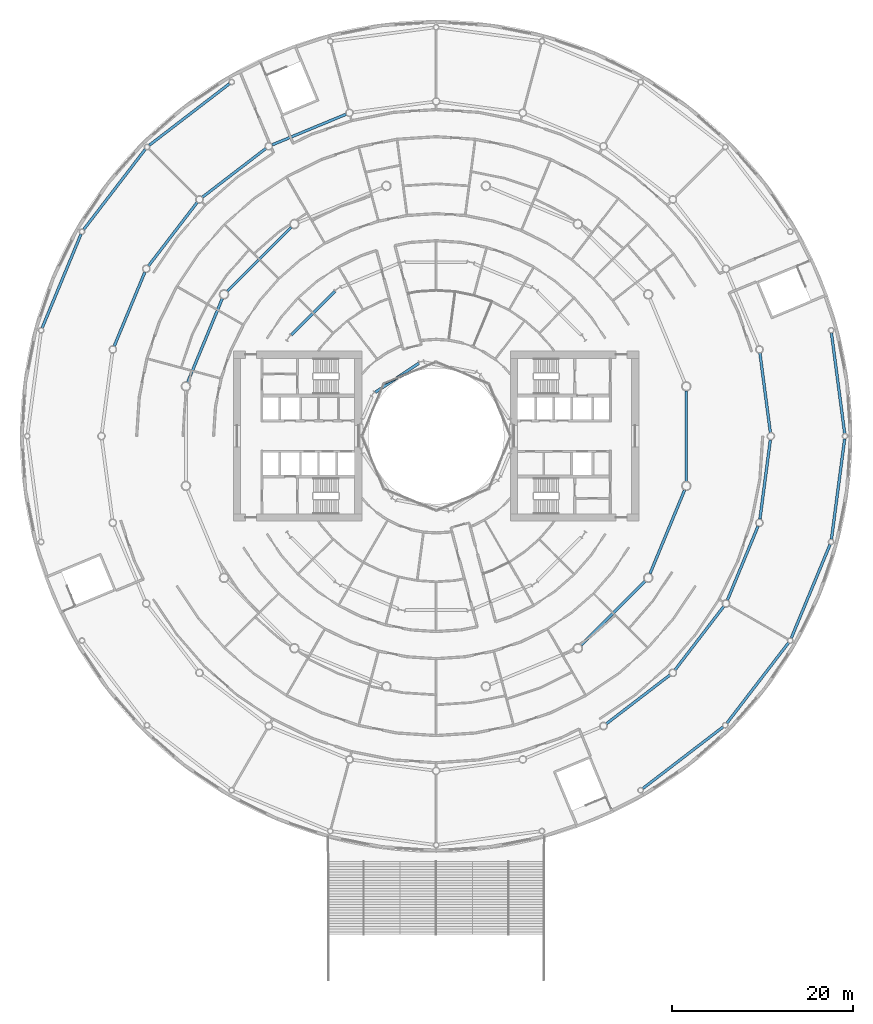
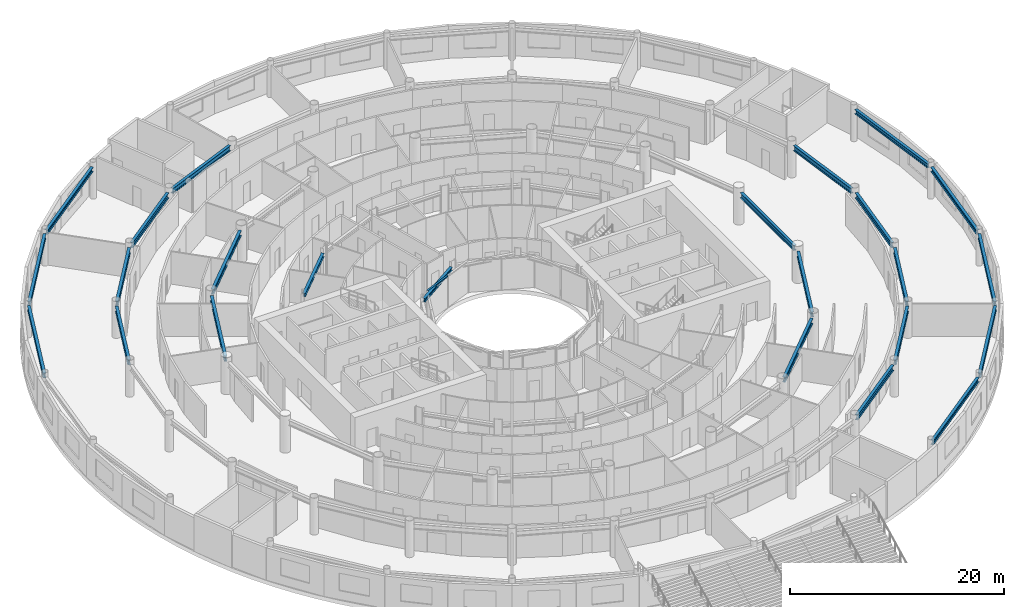
# One storey, part 9 of 29: 24 beams, 1 member, 1 element without a shape of its own.
"""IFC4 building model written with IfcOpenShell, lengths in metres."""

from ifc_helpers import new_model, si_unit, direction, frame, origin, origin_2d, place, context, subcontext, project, spatial, rectangle, i_section, extrude, material, layer, layer_set, material_profile, profile_set, type_object, element, aggregate, save


model = new_model("IFC4")

# Units and contexts
model_context = context("Model", 3, precision=1e-05, world=origin(), true_north=direction((0.0, 1.0)))
body_context = subcontext(model_context, "Body", "Model", "MODEL_VIEW")
ifc_project = project(units=[si_unit("LENGTHUNIT", "METRE"), si_unit("AREAUNIT", "SQUARE_METRE"), si_unit("VOLUMEUNIT", "CUBIC_METRE"), si_unit("PLANEANGLEUNIT", "RADIAN"), si_unit("MASSUNIT", "GRAM", prefix="KILO")], contexts=[model_context])

# Site, building, storey
site_placement = place(None, origin())
site = spatial("IfcSite", under=ifc_project, at=site_placement, CompositionType="ELEMENT")
building_placement = place(site_placement, origin())
building = spatial("IfcBuilding", under=site, at=building_placement, Name="Maasbend Ring Residences", CompositionType="ELEMENT")
storey_placement = place(building_placement, frame((0.0, 0.0, 5.39990234375)))
storey = spatial("IfcBuildingStorey", under=building, at=storey_placement, Name="L01", CompositionType="ELEMENT", Elevation=5.39990234375)

# Curtain wall, member
ifc_material_1 = material(Name="Aluminium and clear glass", Category="aluminium")
ifc_layer = layer(ifc_material_1, 0.199951171875)
ifc_layer_set = layer_set([ifc_layer], Name="CW-LR")
curtain_wall_type = type_object("IfcCurtainWallType", Name="CW-LR", PredefinedType="NOTDEFINED", material=ifc_layer_set)
curtain_wall_placement = place(storey_placement, origin())
curtain_wall = element("IfcCurtainWall", 1, at=curtain_wall_placement, inside=storey, type_object=curtain_wall_type, Name="Lobby ring curtain wall 03", PredefinedType="NOTDEFINED")
ifc_material_2 = material(Name="Aluminium 6063-T6", Category="aluminium")
ifc_material_profile_1 = material_profile(ifc_material_2, rectangle(XDim=0.199951171875, YDim=0.1201171875, at=origin_2d()), Name="AL 200x120")
ifc_profile_set_1 = profile_set([ifc_material_profile_1], Name="Aluminium 6063-T6")
member_type = type_object("IfcMemberType", Name="CWT-LR", PredefinedType="USERDEFINED", material=ifc_profile_set_1)
member_placement = place(storey_placement, frame((-2.93701171875, 6.998779296875, 3.64013671875), z_axis=(-0.923880718565, -0.382680568965, 0.0), x_axis=(0.382680568965, -0.923880718565, 0.0)))
member = element("IfcMember", 2, at=member_placement, type_object=member_type, Name="Transom podium lobby ring", ObjectType="TRANSOM", PredefinedType="USERDEFINED", context=body_context, shape_type="SweptSolid", body=[
    extrude(rectangle(XDim=0.199951171875, YDim=0.1201171875, at=origin_2d()), origin(), (0.0, 0.0, 1.0), 3.03857421875),
])
aggregate(curtain_wall, [member])

# Beams
ifc_material_3 = material(Name="Steel S355J2", Category="steel")
ifc_material_profile_2 = material_profile(ifc_material_3, i_section(OverallWidth=0.300048828125, OverallDepth=0.39990234375, WebThickness=0.013427734375, FlangeThickness=0.02392578125, FilletRadius=0.027099609375, at=origin_2d()), Name="HEB 400")
ifc_profile_set_2 = profile_set([ifc_material_profile_2], Name="Steel S355J2")
beam_type_1 = type_object("IfcBeamType", Name="Corridor ring beam HEB 400", PredefinedType="BEAM", material=ifc_profile_set_2)
beam_1_placement = place(storey_placement, frame((-11.1826171875, 16.00341796875, 3.5), z_axis=(-0.707106781187, -0.707106781187, 0.0), x_axis=(0.707106781187, -0.707106781187, 0.0)))
element("IfcBeam", 3, at=beam_1_placement, inside=storey, type_object=beam_type_1, Name="Corridor ring beam", PredefinedType="BEAM", context=body_context, shape_type="SweptSolid", body=[
    extrude(i_section(OverallWidth=0.300048828125, OverallDepth=0.39990234375, WebThickness=0.013427734375, FlangeThickness=0.02392578125, FilletRadius=0.027099609375, at=origin_2d()), origin(), (0.0, 0.0, 1.0), 6.817626953125),
])
ifc_material_4 = material(Name="Steel S355J2", Category="steel")
ifc_material_profile_3 = material_profile(ifc_material_4, i_section(OverallWidth=0.300048828125, OverallDepth=0.5, WebThickness=0.014404296875, FlangeThickness=0.028076171875, FilletRadius=0.027099609375, at=origin_2d()), Name="HEB 500")
ifc_profile_set_3 = profile_set([ifc_material_profile_3], Name="Steel S355J2")
beam_type_2 = type_object("IfcBeamType", Name="Podium ring beam HEB 500", PredefinedType="BEAM", material=ifc_profile_set_3)
for number, where, z_axis, x_axis, name in (
    (4, (45.16015625, 0.302490234375, 3.4501953125), (-0.130519983501, 0.991445678747, 0.0), (-0.991445678747, -0.130519983501, 0.0), "Podium ring beam"),
    (5, (-22.842041015625, 38.95849609375, 3.4501953125), (-0.793361523963, -0.608750763691, 0.0), (0.608750763691, -0.793361523963, 0.0), "Podium ring beam"),
    (6, (-32.14697265625, 31.71923828125, 3.4501953125), (-0.608750763691, -0.793361523963, 0.0), (0.793361523963, -0.608750763691, 0.0), "Podium ring beam"),
    (7, (-39.260986328125, 22.318115234375, 3.4501953125), (-0.382701220114, -0.923872164384, 0.0), (0.923872164384, -0.382701220114, 0.0), "Podium ring beam"),
    (8, (22.842041015625, -38.95849609375, 3.4501953125), (0.793361523963, 0.608750763691, 0.0), (-0.608750763691, 0.793361523963, 0.0), "Podium ring beam"),
    (9, (32.14697265625, -31.71923828125, 3.4501953125), (0.608750763691, 0.793361523963, 0.0), (-0.793361523963, 0.608750763691, 0.0), "Podium ring beam"),
    (10, (39.260986328125, -22.318115234375, 3.4501953125), (0.382701220114, 0.923872164384, 0.0), (-0.923872164384, 0.382701220114, 0.0), "Podium ring beam"),
    (11, (43.69970703125, -11.396240234375, 3.4501953125), (0.130519983501, 0.991445678747, 0.0), (-0.991445678747, 0.130519983501, 0.0), "Podium ring beam"),
):
    element("IfcBeam", number, at=place(storey_placement, frame(where, z_axis=z_axis, x_axis=x_axis)), inside=storey, type_object=beam_type_2, Name=name, PredefinedType="BEAM", context=body_context, shape_type="SweptSolid", body=[
        extrude(i_section(OverallWidth=0.300048828125, OverallDepth=0.5, WebThickness=0.014404296875, FlangeThickness=0.028076171875, FilletRadius=0.027099609375, at=origin_2d()), origin(), (0.0, 0.0, 1.0), 11.189453125),
    ])
ifc_material_5 = material(Name="Steel S460M", Category="steel")
ifc_material_profile_4 = material_profile(ifc_material_5, i_section(OverallWidth=0.300048828125, OverallDepth=0.60009765625, WebThickness=0.015380859375, FlangeThickness=0.030029296875, FilletRadius=0.027099609375, at=origin_2d()), Name="HEB 600")
ifc_profile_set_4 = profile_set([ifc_material_profile_4], Name="Steel S460M")
beam_type_3 = type_object("IfcBeamType", Name="Podium ring beam HEB 600", PredefinedType="BEAM", material=ifc_profile_set_4)
for number, where, z_axis, x_axis, name in (
    (12, (36.947021484375, 0.403076171875, 3.400146484375), (-0.13051662461, 0.991446120927, 0.0), (-0.991446120927, -0.13051662461, 0.0), "Podium ring beam"),
    (13, (-9.951904296875, 35.583740234375, 3.400146484375), (-0.923877571199, -0.382688167356, 0.0), (0.382688167356, -0.923877571199, 0.0), "Podium ring beam"),
    (14, (-18.822509765625, 31.79541015625, 3.400146484375), (-0.793361092499, -0.608751326002, 0.0), (0.608751326002, -0.793361092499, 0.0), "Podium ring beam"),
    (15, (-26.410400390625, 25.840576171875, 3.400146484375), (-0.608751326002, -0.793361092499, 0.0), (0.793361092499, -0.608751326002, 0.0), "Podium ring beam"),
    (16, (-32.198486328125, 18.12451171875, 3.400146484375), (-0.382688167356, -0.923877571199, 0.0), (0.923877571199, -0.382688167356, 0.0), "Podium ring beam"),
    (17, (18.822509765625, -31.79541015625, 3.400146484375), (0.793361092499, 0.608751326002, 0.0), (-0.608751326002, 0.793361092499, 0.0), "Podium ring beam"),
    (18, (26.410400390625, -25.840576171875, 3.400146484375), (0.608751326002, 0.793361092499, 0.0), (-0.793361092499, 0.608751326002, 0.0), "Podium ring beam"),
    (19, (32.198486328125, -18.12451171875, 3.400146484375), (0.382688167356, 0.923877571199, 0.0), (-0.923877571199, 0.382688167356, 0.0), "Podium ring beam"),
    (20, (35.79248046875, -9.17333984375, 3.400146484375), (0.13051662461, 0.991446120927, 0.0), (-0.991446120927, 0.13051662461, 0.0), "Podium ring beam"),
):
    element("IfcBeam", number, at=place(storey_placement, frame(where, z_axis=z_axis, x_axis=x_axis)), inside=storey, type_object=beam_type_3, Name=name, PredefinedType="BEAM", context=body_context, shape_type="SweptSolid", body=[
        extrude(i_section(OverallWidth=0.300048828125, OverallDepth=0.60009765625, WebThickness=0.015380859375, FlangeThickness=0.030029296875, FilletRadius=0.027099609375, at=origin_2d()), origin(), (0.0, 0.0, 1.0), 8.845947265625),
    ])
ifc_material_6 = material(Name="Steel S460M", Category="steel")
ifc_material_profile_5 = material_profile(ifc_material_6, i_section(OverallWidth=0.300048828125, OverallDepth=0.60009765625, WebThickness=0.015380859375, FlangeThickness=0.030029296875, FilletRadius=0.027099609375, at=origin_2d()), Name="HEB 600")
ifc_profile_set_5 = profile_set([ifc_material_profile_5], Name="Steel S460M")
beam_type_4 = type_object("IfcBeamType", Name="Spandrel ring beam HEB 600", PredefinedType="SPANDREL", material=ifc_profile_set_5)
beam_2_placement = place(storey_placement, frame((-16.0263671875, 23.088134765625, 3.400146484375), z_axis=(-0.707106781187, -0.707106781187, 0.0), x_axis=(0.707106781187, -0.707106781187, 0.0)))
element("IfcBeam", 21, at=beam_2_placement, inside=storey, type_object=beam_type_4, Name="Spandrel ring beam", PredefinedType="SPANDREL", context=body_context, shape_type="SweptSolid", body=[
    extrude(i_section(OverallWidth=0.300048828125, OverallDepth=0.60009765625, WebThickness=0.015380859375, FlangeThickness=0.030029296875, FilletRadius=0.027099609375, at=origin_2d()), origin(), (0.0, 0.0, 1.0), 9.98681640625),
])
beam_3_placement = place(storey_placement, frame((-23.641845703125, 15.19775390625, 3.400146484375), z_axis=(-0.382667003395, -0.923886337442, 0.0), x_axis=(0.923886337442, -0.382667003395, 0.0)))
element("IfcBeam", 22, at=beam_3_placement, inside=storey, type_object=beam_type_4, Name="Spandrel ring beam", PredefinedType="SPANDREL", context=body_context, shape_type="SweptSolid", body=[
    extrude(i_section(OverallWidth=0.300048828125, OverallDepth=0.60009765625, WebThickness=0.015380859375, FlangeThickness=0.030029296875, FilletRadius=0.027099609375, at=origin_2d()), origin(), (0.0, 0.0, 1.0), 9.9873046875),
])
beam_4_placement = place(storey_placement, frame((16.0263671875, -23.088134765625, 3.400146484375), z_axis=(0.707106781187, 0.707106781187, 0.0), x_axis=(-0.707106781187, 0.707106781187, 0.0)))
element("IfcBeam", 23, at=beam_4_placement, inside=storey, type_object=beam_type_4, Name="Spandrel ring beam", PredefinedType="SPANDREL", context=body_context, shape_type="SweptSolid", body=[
    extrude(i_section(OverallWidth=0.300048828125, OverallDepth=0.60009765625, WebThickness=0.015380859375, FlangeThickness=0.030029296875, FilletRadius=0.027099609375, at=origin_2d()), origin(), (0.0, 0.0, 1.0), 9.98681640625),
])
beam_5_placement = place(storey_placement, frame((23.641845703125, -15.19775390625, 3.400146484375), z_axis=(0.382667003395, 0.923886337442, 0.0), x_axis=(-0.923886337442, 0.382667003395, 0.0)))
element("IfcBeam", 24, at=beam_5_placement, inside=storey, type_object=beam_type_4, Name="Spandrel ring beam", PredefinedType="SPANDREL", context=body_context, shape_type="SweptSolid", body=[
    extrude(i_section(OverallWidth=0.300048828125, OverallDepth=0.60009765625, WebThickness=0.015380859375, FlangeThickness=0.030029296875, FilletRadius=0.027099609375, at=origin_2d()), origin(), (0.0, 0.0, 1.0), 9.9873046875),
])
beam_6_placement = place(storey_placement, frame((27.658203125, -4.993408203125, 3.400146484375), z_axis=(0.0, 1.0, 0.0), x_axis=(-1.0, 0.0, 0.0)))
element("IfcBeam", 25, at=beam_6_placement, inside=storey, type_object=beam_type_4, Name="Spandrel ring beam", PredefinedType="SPANDREL", context=body_context, shape_type="SweptSolid", body=[
    extrude(i_section(OverallWidth=0.300048828125, OverallDepth=0.60009765625, WebThickness=0.015380859375, FlangeThickness=0.030029296875, FilletRadius=0.027099609375, at=origin_2d()), origin(), (0.0, 0.0, 1.0), 9.98681640625),
])
ifc_material_7 = material(Name="Steel S355J2", Category="steel")
ifc_material_profile_6 = material_profile(ifc_material_7, i_section(OverallWidth=0.300048828125, OverallDepth=0.39990234375, WebThickness=0.013427734375, FlangeThickness=0.02392578125, FilletRadius=0.027099609375, at=origin_2d()), Name="HEB 400")
ifc_profile_set_6 = profile_set([ifc_material_profile_6], Name="Steel S355J2")
beam_type_5 = type_object("IfcBeamType", Name="Well edge beam HEB 400", PredefinedType="BEAM", material=ifc_profile_set_6)
beam_7_placement = place(storey_placement, frame((-1.90869140625, 8.05810546875, 3.5), z_axis=(-0.831477969773, -0.555557724977, 0.0), x_axis=(0.555557724977, -0.831477969773, 0.0)))
element("IfcBeam", 26, at=beam_7_placement, inside=storey, type_object=beam_type_5, Name="Well edge beam", PredefinedType="BEAM", context=body_context, shape_type="SweptSolid", body=[
    extrude(i_section(OverallWidth=0.300048828125, OverallDepth=0.39990234375, WebThickness=0.013427734375, FlangeThickness=0.02392578125, FilletRadius=0.027099609375, at=origin_2d()), origin(), (0.0, 0.0, 1.0), 5.77978515625),
])

save(model, "model.ifc")
